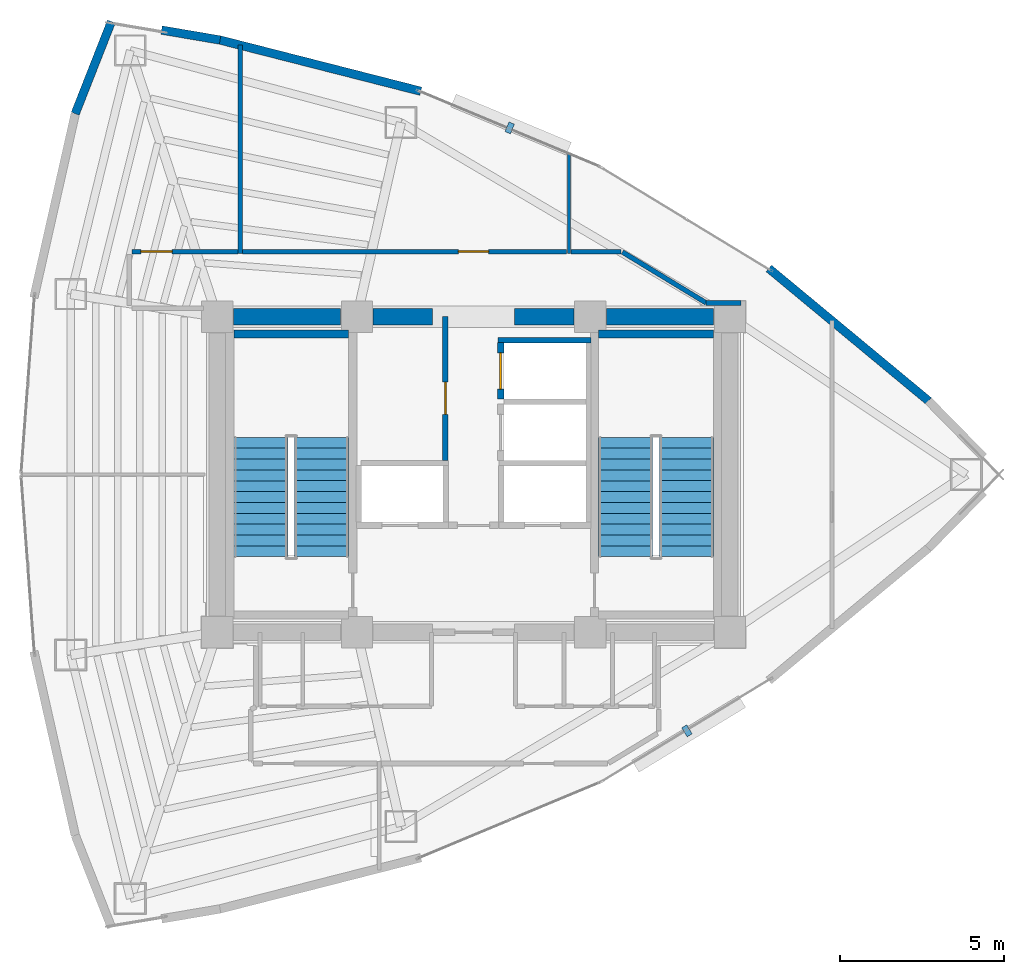
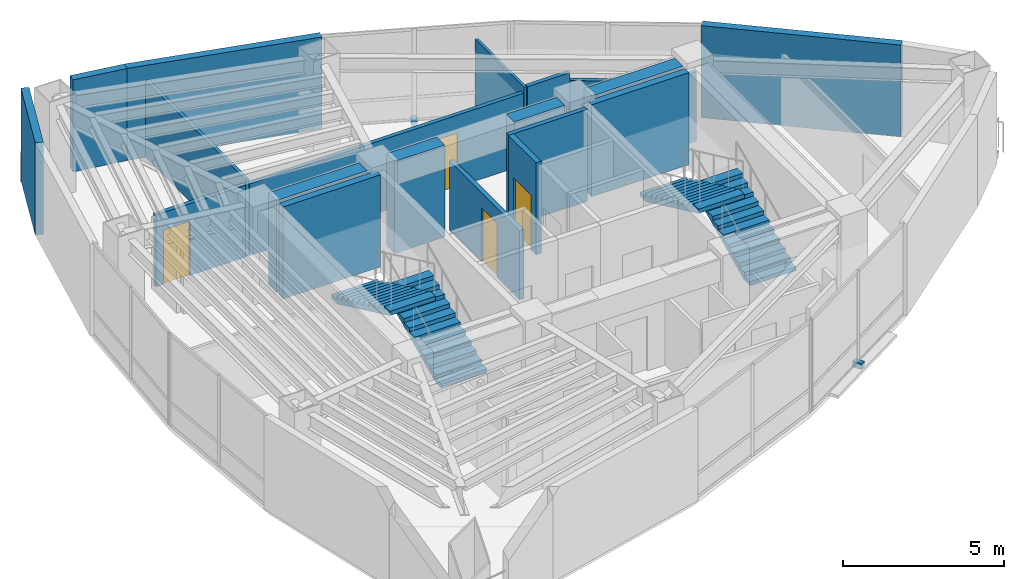
# One storey, part 13 of 15: 20 walls, 4 doors, 4 stair flights, 2 discrete accessories, 4 openings, 2 elements without a shape of their own.
"""IFC4 building model written with IfcOpenShell, lengths in metres."""

from ifc_helpers import new_model, si_unit, direction, frame, frame_2d, origin, origin_2d, place, context, subcontext, project, spatial, polyline, rectangle, outline, extrude, material, layer, layer_set, type_object, element, fill, aggregate, save


model = new_model("IFC4")

# Units and contexts
model_context = context("Model", 3, precision=1e-05, world=origin(), true_north=direction((0.0, 1.0)))
body_context = subcontext(model_context, "Body", "Model", "MODEL_VIEW")
ifc_project = project(units=[si_unit("LENGTHUNIT", "METRE"), si_unit("AREAUNIT", "SQUARE_METRE"), si_unit("VOLUMEUNIT", "CUBIC_METRE"), si_unit("PLANEANGLEUNIT", "RADIAN"), si_unit("MASSUNIT", "GRAM", prefix="KILO")], contexts=[model_context])

# Site, building, storey
site_placement = place(None, origin())
site = spatial("IfcSite", under=ifc_project, at=site_placement, CompositionType="ELEMENT")
building_placement = place(site_placement, origin())
building = spatial("IfcBuilding", under=site, at=building_placement, Name="Menara Vayukalpa", CompositionType="ELEMENT")
storey_placement = place(building_placement, frame((0.0, 0.0, 187.800048828125)))
storey = spatial("IfcBuildingStorey", under=building, at=storey_placement, Name="L47", CompositionType="ELEMENT", Elevation=187.800048828125)

# Walls
ifc_material_1 = material(Name="Concrete C60/75", Category="concrete")
ifc_layer_1 = layer(ifc_material_1, 0.5)
ifc_layer_set_1 = layer_set([ifc_layer_1], Name="Concrete C60/75")
wall_type_1 = type_object("IfcWallType", Name="WAL-CW500", PredefinedType="SHEAR", material=ifc_layer_set_1)
wall_1_placement = place(storey_placement, frame((18.294921875, 26.800048828125, 0.0), z_axis=(0.0, 0.0, 1.0), x_axis=(1.0, 0.0, 0.0)))
element("IfcWall", 1, at=wall_1_placement, inside=storey, type_object=wall_type_1, Name="L47 Buttressed Core Shear Wall CWN1", PredefinedType="SHEAR", context=body_context, shape_type="SweptSolid", body=[
    extrude(rectangle(XDim=3.260009765625, YDim=0.5, at=frame_2d((1.6298828125, 0.0))), origin(), (0.0, 0.0, 1.0), 3.5),
])
wall_2_placement = place(storey_placement, frame((22.544921875, 26.800048828125, 0.0), z_axis=(0.0, 0.0, 1.0), x_axis=(1.0, 0.0, 0.0)))
element("IfcWall", 2, at=wall_2_placement, inside=storey, type_object=wall_type_1, Name="L47 Buttressed Core Shear Wall CWN2", PredefinedType="SHEAR", context=body_context, shape_type="SweptSolid", body=[
    extrude(rectangle(XDim=1.80517578125, YDim=0.5, at=frame_2d((0.902587890625, 0.0))), origin(), (0.0, 0.0, 1.0), 3.5),
])
wall_3_placement = place(storey_placement, frame((26.85009765625, 26.800048828125, 0.0), z_axis=(0.0, 0.0, 1.0), x_axis=(1.0, 0.0, 0.0)))
element("IfcWall", 3, at=wall_3_placement, inside=storey, type_object=wall_type_1, Name="L47 Buttressed Core Shear Wall CWN3", PredefinedType="SHEAR", context=body_context, shape_type="SweptSolid", body=[
    extrude(rectangle(XDim=1.804931640625, YDim=0.5, at=frame_2d((0.90234375, 0.0))), origin(), (0.0, 0.0, 1.0), 3.5),
])
wall_4_placement = place(storey_placement, frame((29.64501953125, 26.800048828125, 0.0), z_axis=(0.0, 0.0, 1.0), x_axis=(1.0, 0.0, 0.0)))
element("IfcWall", 4, at=wall_4_placement, inside=storey, type_object=wall_type_1, Name="L47 Buttressed Core Shear Wall CWN4", PredefinedType="SHEAR", context=body_context, shape_type="SweptSolid", body=[
    extrude(rectangle(XDim=3.260009765625, YDim=0.5, at=frame_2d((1.6298828125, 0.0))), origin(), (0.0, 0.0, 1.0), 3.5),
])
ifc_material_2 = material(Name="Insulated Precast Concrete C40/50", Category="concrete")
ifc_layer_2 = layer(ifc_material_2, 0.260009765625)
ifc_layer_set_2 = layer_set([ifc_layer_2], Name="Insulated Precast Concrete C40/50")
wall_type_2 = type_object("IfcWallType", Name="WAL-EXT260", PredefinedType="PARTITIONING", material=ifc_layer_set_2)
wall_5_placement = place(storey_placement, frame((34.58251953125, 28.26953125, 0.0), z_axis=(0.0, 0.0, 1.0), x_axis=(0.769765373155, -0.638326930571, 0.0)))
element("IfcWall", 5, at=wall_5_placement, inside=storey, type_object=wall_type_2, Name="L47 Perimeter Terracotta Pier Wall 03", PredefinedType="PARTITIONING", context=body_context, shape_type="SweptSolid", body=[
    extrude(rectangle(XDim=6.3154296875, YDim=0.260009765625, at=frame_2d((3.15771484375, 0.0))), origin(), (0.0, 0.0, 1.0), 3.5),
])
wall_6_placement = place(storey_placement, frame((17.8759765625, 35.22216796875, 0.0), z_axis=(0.0, 0.0, 1.0), x_axis=(0.968976240439, -0.247153890246, 0.0)))
element("IfcWall", 6, at=wall_6_placement, inside=storey, type_object=wall_type_2, Name="L47 Perimeter Terracotta Pier Wall 06", PredefinedType="PARTITIONING", context=body_context, shape_type="SweptSolid", body=[
    extrude(rectangle(XDim=6.31494140625, YDim=0.260009765625, at=frame_2d((3.157470703125, 0.0))), origin(), (0.0, 0.0, 1.0), 3.5),
])
wall_7_placement = place(storey_placement, frame((16.10693359375, 35.52197265625, 0.0), z_axis=(0.0, 0.0, 1.0), x_axis=(0.985877723898, -0.167466753484, 0.0)))
element("IfcWall", 7, at=wall_7_placement, inside=storey, type_object=wall_type_2, Name="L47 Perimeter Terracotta Pier Wall 07", PredefinedType="PARTITIONING", context=body_context, shape_type="SweptSolid", body=[
    extrude(rectangle(XDim=1.80615234375, YDim=0.260009765625, at=frame_2d((0.903076171875, 0.0))), origin(), (0.0, 0.0, 1.0), 3.5),
])
wall_8_placement = place(storey_placement, frame((13.47900390625, 32.978515625, 0.0), z_axis=(0.0, 0.0, 1.0), x_axis=(0.365609724313, 0.930768246927, 0.0)))
element("IfcWall", 8, at=wall_8_placement, inside=storey, type_object=wall_type_2, Name="L47 Perimeter Terracotta Pier Wall 08", PredefinedType="PARTITIONING", context=body_context, shape_type="SweptSolid", body=[
    extrude(rectangle(XDim=3.010986328125, YDim=0.260009765625, at=frame_2d((1.50537109375, 0.0))), origin(), (0.0, 0.0, 1.0), 3.5),
])
ifc_material_3 = material(Name="Lightweight Concrete Blockwork C16/20", Category="masonry")
ifc_layer_3 = layer(ifc_material_3, 0.159912109375)
ifc_layer_set_3 = layer_set([ifc_layer_3], Name="Lightweight Concrete Blockwork C16/20")
wall_type_3 = type_object("IfcWallType", Name="WAL-FR150", PredefinedType="PARTITIONING", material=ifc_layer_set_3)
wall_9_placement = place(storey_placement, frame((26.340087890625, 26.0849609375, 0.0), z_axis=(0.0, 0.0, 1.0), x_axis=(1.0, 0.0, 0.0)))
element("IfcWall", 9, at=wall_9_placement, inside=storey, type_object=wall_type_3, Name="L47 Interior Partition IW-L47-SHM-E2N", PredefinedType="PARTITIONING", context=body_context, shape_type="SweptSolid", body=[
    extrude(rectangle(XDim=2.829833984375, YDim=0.159912109375, at=frame_2d((1.4150390625, 0.0))), origin(), (0.0, 0.0, 1.0), 3.5),
])

# Wall, opening, door
wall_10_placement = place(storey_placement, frame((24.739990234375, 22.429931640625, 0.0), z_axis=(0.0, 0.0, 1.0), x_axis=(0.0, 1.0, 0.0)))
wall_10 = element("IfcWall", 10, at=wall_10_placement, inside=storey, type_object=wall_type_3, Name="L47 Interior Partition IW-L47-LV7W", PredefinedType="PARTITIONING", context=body_context, shape_type="SweptSolid", body=[
    extrude(rectangle(XDim=4.3701171875, YDim=0.159912109375, at=frame_2d((2.18505859375, 0.0))), origin(), (0.0, 0.0, 1.0), 2.6298828125),
])
opening_1_placement = place(wall_10_placement, frame((1.39990234375, 0.0, 0.0)))
opening_1 = element("IfcOpeningElement", 11, at=opening_1_placement, cuts=wall_10, Name="Opening ID3", PredefinedType="OPENING", context=body_context, shape_type="SweptSolid", body=[
    extrude(rectangle(XDim=0.97998046875, YDim=2.06005859375, at=frame_2d((0.489990234375, 1.030029296875))), frame((0.0, 0.08984375, 0.0), z_axis=(0.0, -1.0, 0.0), x_axis=(1.0, 0.0, 0.0)), (0.0, 0.0, 1.0), 0.179931640625),
])
ifc_material_4 = material(Name="Fire-Rated Powder-Coated Steel Door", Category="steel")
door_type_1 = type_object("IfcDoorType", Name="DR-FD60", OperationType="NOTDEFINED", PredefinedType="DOOR", material=ifc_material_4)
door_1_placement = place(opening_1_placement, origin())
door_1 = element("IfcDoor", 12, at=door_1_placement, inside=storey, type_object=door_type_1, Name="L47 Interior Door DR-L47-LV7W", OperationType="SINGLE_SWING_LEFT", OverallHeight=2.06005859375, OverallWidth=0.97998046875, PredefinedType="DOOR", context=body_context, shape_type="SweptSolid", body=[
    extrude(rectangle(XDim=0.97998046875, YDim=2.06005859375, at=frame_2d((0.489990234375, 1.030029296875))), frame((0.0, 0.02490234375, 0.0), z_axis=(0.0, -1.0, 0.0), x_axis=(1.0, 0.0, 0.0)), (0.0, 0.0, 1.0), 0.050048828125),
])
fill(opening_1, door_1)

ifc_material_5 = material(Name="Lightweight Concrete Blockwork C16/20", Category="masonry")
ifc_layer_4 = layer(ifc_material_5, 0.199951171875)
ifc_layer_set_4 = layer_set([ifc_layer_4], Name="Lightweight Concrete Blockwork C16/20")
wall_type_4 = type_object("IfcWallType", Name="WAL-FR200", PredefinedType="PARTITIONING", material=ifc_layer_set_4)
wall_11_placement = place(storey_placement, frame((26.419921875, 24.2900390625, 0.0), z_axis=(0.0, 0.0, 1.0), x_axis=(0.0, 1.0, 0.0)))
wall_11 = element("IfcWall", 13, at=wall_11_placement, inside=storey, type_object=wall_type_4, Name="L47 Interior Partition IW-L47-SH-E2", PredefinedType="PARTITIONING", context=body_context, shape_type="SweptSolid", body=[
    extrude(rectangle(XDim=1.719970703125, YDim=0.199951171875, at=frame_2d((0.85986328125, 0.0))), origin(), (0.0, 0.0, 1.0), 3.5),
])
opening_2_placement = place(wall_11_placement, frame((0.31005859375, 0.0, 0.0)))
opening_2 = element("IfcOpeningElement", 14, at=opening_2_placement, cuts=wall_11, Name="Opening LD1", PredefinedType="OPENING", context=body_context, shape_type="SweptSolid", body=[
    extrude(rectangle(XDim=1.10009765625, YDim=2.080078125, at=frame_2d((0.550048828125, 1.0400390625))), frame((0.0, 0.10986328125, 0.0), z_axis=(0.0, -1.0, 0.0), x_axis=(1.0, 0.0, 0.0)), (0.0, 0.0, 1.0), 0.219970703125),
])
ifc_material_6 = material(Name="Brushed Stainless Steel 316 Lift Door", Category="steel")
door_type_2 = type_object("IfcDoorType", Name="DR-LD110", OperationType="NOTDEFINED", PredefinedType="DOOR", material=ifc_material_6)
door_2_placement = place(opening_2_placement, origin())
door_2 = element("IfcDoor", 15, at=door_2_placement, inside=storey, type_object=door_type_2, Name="L47 Interior Door DR-L47-LD-E2", OperationType="DOUBLE_DOOR_SLIDING", OverallHeight=2.080078125, OverallWidth=1.10009765625, PredefinedType="DOOR", context=body_context, shape_type="SweptSolid", body=[
    extrude(rectangle(XDim=1.10009765625, YDim=2.080078125, at=frame_2d((0.550048828125, 1.0400390625))), frame((0.0, 0.02490234375, 0.0), z_axis=(0.0, -1.0, 0.0), x_axis=(1.0, 0.0, 0.0)), (0.0, 0.0, 1.0), 0.050048828125),
])
fill(opening_2, door_2)

# Walls
ifc_material_7 = material(Name="Glazed Demountable Office Partition", Category="glass")
ifc_layer_5 = layer(ifc_material_7, 0.094970703125)
ifc_layer_set_5 = layer_set([ifc_layer_5], Name="Glazed Demountable Office Partition")
wall_type_5 = type_object("IfcWallType", Name="WAL-PT100", PredefinedType="PARTITIONING", material=ifc_layer_set_5)
wall_12_placement = place(storey_placement, frame((28.5, 28.72998046875, 0.0), z_axis=(0.0, 0.0, 1.0), x_axis=(0.0, 1.0, 0.0)))
element("IfcWall", 16, at=wall_12_placement, inside=storey, type_object=wall_type_5, Name="L47 Interior Partition IW-L47-RDIV02", PredefinedType="PARTITIONING", context=body_context, shape_type="SweptSolid", body=[
    extrude(rectangle(XDim=3.04052734375, YDim=0.094970703125, at=frame_2d((1.520263671875, 0.0))), origin(), (0.0, 0.0, 1.0), 2.929931640625),
])
ifc_material_8 = material(Name="Gypsum Drywall Steel Stud Assembly", Category="steel")
ifc_layer_6 = layer(ifc_material_8, 0.125)
ifc_layer_set_6 = layer_set([ifc_layer_6], Name="Gypsum Drywall Steel Stud Assembly")
wall_type_6 = type_object("IfcWallType", Name="WAL-PT125", PredefinedType="PARTITIONING", material=ifc_layer_set_6)
wall_13_placement = place(storey_placement, frame((18.5, 28.72998046875, 0.0), z_axis=(0.0, 0.0, 1.0), x_axis=(0.0, 1.0, 0.0)))
element("IfcWall", 17, at=wall_13_placement, inside=storey, type_object=wall_type_6, Name="L47 Interior Partition IW-L47-RDIV01", PredefinedType="PARTITIONING", context=body_context, shape_type="SweptSolid", body=[
    extrude(rectangle(XDim=6.34326171875, YDim=0.125, at=frame_2d((3.171630859375, 0.0))), origin(), (0.0, 0.0, 1.0), 2.929931640625),
])
ifc_material_9 = material(Name="Gypsum Drywall Acoustic Stud Assembly", Category="masonry")
ifc_layer_7 = layer(ifc_material_9, 0.14501953125)
ifc_layer_set_7 = layer_set([ifc_layer_7], Name="Gypsum Drywall Acoustic Stud Assembly")
wall_type_7 = type_object("IfcWallType", Name="WAL-PT150", PredefinedType="PARTITIONING", material=ifc_layer_set_7)
wall_14_placement = place(storey_placement, frame((33.739990234375, 27.219970703125, 0.0), z_axis=(0.0, 0.0, 1.0), x_axis=(-1.0, 0.0, 0.0)))
element("IfcWall", 18, at=wall_14_placement, inside=storey, type_object=wall_type_7, Name="L47 Interior Partition IW-L47-CRM02-5", PredefinedType="PARTITIONING", context=body_context, shape_type="SweptSolid", body=[
    extrude(rectangle(XDim=1.0625, YDim=0.14501953125, at=frame_2d((0.53125, 0.0))), origin(), (0.0, 0.0, 1.0), 2.6298828125),
])
wall_15_placement = place(storey_placement, frame((32.677490234375, 27.219970703125, 0.0), z_axis=(0.0, 0.0, 1.0), x_axis=(-0.854662977584, 0.519183199601, 0.0)))
element("IfcWall", 19, at=wall_15_placement, inside=storey, type_object=wall_type_7, Name="L47 Interior Partition IW-L47-CRM02-6", PredefinedType="PARTITIONING", context=body_context, shape_type="SweptSolid", body=[
    extrude(rectangle(XDim=2.982177734375, YDim=0.14501953125, at=frame_2d((1.4912109375, 0.0))), origin(), (0.0, 0.0, 1.0), 2.6298828125),
])
wall_16_placement = place(storey_placement, frame((30.087158203125, 28.780029296875, 0.0), z_axis=(0.0, 0.0, 1.0), x_axis=(-1.0, 0.0, 0.0)))
element("IfcWall", 20, at=wall_16_placement, inside=storey, type_object=wall_type_7, Name="L47 Interior Partition IW-L47-CRM02-7", PredefinedType="PARTITIONING", context=body_context, shape_type="SweptSolid", body=[
    extrude(rectangle(XDim=1.51708984375, YDim=0.14501953125, at=frame_2d((0.758544921875, 0.0))), origin(), (0.0, 0.0, 1.0), 2.929931640625),
])

# Wall, opening, door
wall_17_placement = place(storey_placement, frame((28.429931640625, 28.780029296875, 0.0), z_axis=(0.0, 0.0, 1.0), x_axis=(-1.0, 0.0, 0.0)))
wall_17 = element("IfcWall", 21, at=wall_17_placement, inside=storey, type_object=wall_type_7, Name="L47 Interior Partition IW-L47-CRM04-1", PredefinedType="PARTITIONING", context=body_context, shape_type="SweptSolid", body=[
    extrude(rectangle(XDim=9.85986328125, YDim=0.14501953125, at=frame_2d((4.929931640625, 0.0))), origin(), (0.0, 0.0, 1.0), 2.72998046875),
])
opening_3_placement = place(wall_17_placement, frame((2.375, 0.0, 0.0)))
opening_3 = element("IfcOpeningElement", 22, at=opening_3_placement, cuts=wall_17, Name="Opening ID6", PredefinedType="OPENING", context=body_context, shape_type="SweptSolid", body=[
    extrude(rectangle(XDim=0.919921875, YDim=2.050048828125, at=frame_2d((0.4599609375, 1.02490234375))), frame((0.0, 0.08251953125, 0.0), z_axis=(0.0, -1.0, 0.0), x_axis=(1.0, 0.0, 0.0)), (0.0, 0.0, 1.0), 0.1650390625),
])
ifc_material_10 = material(Name="Acoustic Hardwood Veneer Timber Door", Category="wood")
door_type_3 = type_object("IfcDoorType", Name="DR-INT92", OperationType="NOTDEFINED", PredefinedType="DOOR", material=ifc_material_10)
door_3_placement = place(opening_3_placement, origin())
door_3 = element("IfcDoor", 23, at=door_3_placement, inside=storey, type_object=door_type_3, Name="L47 Interior Door DR-L47-RM04", OperationType="SINGLE_SWING_LEFT", OverallHeight=2.050048828125, OverallWidth=0.919921875, PredefinedType="DOOR", context=body_context, shape_type="SweptSolid", body=[
    extrude(rectangle(XDim=0.919921875, YDim=2.050048828125, at=frame_2d((0.4599609375, 1.02490234375))), frame((0.0, 0.02490234375, 0.0), z_axis=(0.0, -1.0, 0.0), x_axis=(1.0, 0.0, 0.0)), (0.0, 0.0, 1.0), 0.050048828125),
])
fill(opening_3, door_3)

wall_18_placement = place(storey_placement, frame((18.429931640625, 28.780029296875, 0.0), z_axis=(0.0, 0.0, 1.0), x_axis=(-1.0, 0.0, 0.0)))
wall_18 = element("IfcWall", 24, at=wall_18_placement, inside=storey, type_object=wall_type_7, Name="L47 Interior Partition IW-L47-CRM05-1", PredefinedType="PARTITIONING", context=body_context, shape_type="SweptSolid", body=[
    extrude(rectangle(XDim=3.22998046875, YDim=0.14501953125, at=frame_2d((1.614990234375, 0.0))), origin(), (0.0, 0.0, 1.0), 2.72998046875),
])
opening_4_placement = place(wall_18_placement, frame((2.0, 0.0, 0.0)))
opening_4 = element("IfcOpeningElement", 25, at=opening_4_placement, cuts=wall_18, Name="Opening ID5", PredefinedType="OPENING", context=body_context, shape_type="SweptSolid", body=[
    extrude(rectangle(XDim=0.949951171875, YDim=2.06005859375, at=frame_2d((0.47509765625, 1.030029296875))), frame((0.0, 0.08251953125, 0.0), z_axis=(0.0, -1.0, 0.0), x_axis=(1.0, 0.0, 0.0)), (0.0, 0.0, 1.0), 0.1650390625),
])
ifc_material_11 = material(Name="Acoustic Hardwood Veneer Timber Door", Category="wood")
door_type_4 = type_object("IfcDoorType", Name="DR-INT95", OperationType="NOTDEFINED", PredefinedType="DOOR", material=ifc_material_11)
door_4_placement = place(opening_4_placement, origin())
door_4 = element("IfcDoor", 26, at=door_4_placement, inside=storey, type_object=door_type_4, Name="L47 Interior Door DR-L47-RM05", OperationType="SINGLE_SWING_RIGHT", OverallHeight=2.06005859375, OverallWidth=0.949951171875, PredefinedType="DOOR", context=body_context, shape_type="SweptSolid", body=[
    extrude(rectangle(XDim=0.949951171875, YDim=2.06005859375, at=frame_2d((0.47509765625, 1.030029296875))), frame((0.0, 0.02490234375, 0.0), z_axis=(0.0, -1.0, 0.0), x_axis=(1.0, 0.0, 0.0)), (0.0, 0.0, 1.0), 0.050048828125),
])
fill(opening_4, door_4)

# Walls
ifc_material_12 = material(Name="Concrete C50/60", Category="concrete")
ifc_layer_8 = layer(ifc_material_12, 0.25)
ifc_layer_set_8 = layer_set([ifc_layer_8], Name="Concrete C50/60")
wall_type_8 = type_object("IfcWallType", Name="WAL-SW250", PredefinedType="SHEAR", material=ifc_layer_set_8)
for number, where, z_axis, x_axis, name in (
    (27, (18.303955078125, 26.27490234375, 0.0), (0.0, 0.0, 1.0), (1.0, 0.0, 0.0), "L47 ST1 Structural Stair Shaft Wall N"),
    (28, (29.39990234375, 26.27490234375, 0.0), (0.0, 0.0, 1.0), (1.0, 0.0, 0.0), "L47 ST2 Structural Stair Shaft Wall N"),
):
    element("IfcWall", number, at=place(storey_placement, frame(where, z_axis=z_axis, x_axis=x_axis)), inside=storey, type_object=wall_type_8, Name=name, PredefinedType="SHEAR", context=body_context, shape_type="SweptSolid", body=[
        extrude(rectangle(XDim=3.49609375, YDim=0.25, at=frame_2d((1.748046875, 0.0))), origin(), (0.0, 0.0, 1.0), 3.5),
    ])

# Stair, stair flights
ifc_material_13 = material(Name="Precast Concrete C40/50", Category="concrete")
stair_type = type_object("IfcStairType", Name="STR-T04", PredefinedType="DOUBLE_RETURN_STAIR", material=ifc_material_13)
stair_1_placement = place(storey_placement, origin())
stair_1 = element("IfcStair", 29, at=stair_1_placement, inside=storey, type_object=stair_type, Name="L47 Core Exit Stair ST-1", PredefinedType="DOUBLE_RETURN_STAIR")
ifc_material_14 = material(Name="Precast Concrete C40/50", Category="concrete")
stair_flight_type = type_object("IfcStairFlightType", Name="STF-T04", PredefinedType="STRAIGHT", material=ifc_material_14)
stair_flight_1_placement = place(storey_placement, frame((20.97509765625, 19.5, 0.0), z_axis=(0.0, 0.0, 1.0), x_axis=(0.0, 1.0, 0.0)))
stair_flight_1 = element("IfcStairFlight", 30, at=stair_flight_1_placement, type_object=stair_flight_type, Name="ST-1 flight 1", NumberOfRisers=12, NumberOfTreads=11, PredefinedType="STRAIGHT", RiserHeight=0.155, TreadLength=0.33, context=body_context, shape_type="SweptSolid", body=[
    extrude(outline(polyline([(0.0, 0.0), (0.0, 0.155029296875), (0.330078125, 0.155029296875), (0.330078125, 0.31005859375), (0.659912109375, 0.31005859375), (0.659912109375, 0.465087890625), (0.989990234375, 0.465087890625), (0.989990234375, 0.6201171875), (1.320068359375, 0.6201171875), (1.320068359375, 0.77490234375), (1.64990234375, 0.77490234375), (1.64990234375, 0.929931640625), (1.97998046875, 0.929931640625), (1.97998046875, 1.0849609375), (2.31005859375, 1.0849609375), (2.31005859375, 1.239990234375), (2.639892578125, 1.239990234375), (2.639892578125, 1.39501953125), (2.969970703125, 1.39501953125), (2.969970703125, 1.550048828125), (3.300048828125, 1.550048828125), (3.300048828125, 1.705078125), (3.6298828125, 1.705078125), (3.6298828125, 1.860107421875), (3.6298828125, 1.539306640625), (0.3525390625, 0.0), (0.0, 0.0)])), frame((0.0, 0.824951171875, 0.0), z_axis=(0.0, -1.0, 0.0), x_axis=(1.0, 0.0, 0.0)), (0.0, 0.0, 1.0), 1.64990234375),
])
stair_flight_2_placement = place(storey_placement, frame((19.125, 23.1298828125, 1.85986328125), z_axis=(0.0, 0.0, 1.0), x_axis=(0.0, -1.0, 0.0)))
stair_flight_2 = element("IfcStairFlight", 31, at=stair_flight_2_placement, type_object=stair_flight_type, Name="ST-1 flight 2", NumberOfRisers=12, NumberOfTreads=11, PredefinedType="STRAIGHT", RiserHeight=0.155, TreadLength=0.33, context=body_context, shape_type="SweptSolid", body=[
    extrude(outline(polyline([(0.0, 0.0), (0.0, 0.155029296875), (0.330078125, 0.155029296875), (0.330078125, 0.31005859375), (0.659912109375, 0.31005859375), (0.659912109375, 0.465087890625), (0.989990234375, 0.465087890625), (0.989990234375, 0.6201171875), (1.320068359375, 0.6201171875), (1.320068359375, 0.77490234375), (1.64990234375, 0.77490234375), (1.64990234375, 0.929931640625), (1.97998046875, 0.929931640625), (1.97998046875, 1.0849609375), (2.31005859375, 1.0849609375), (2.31005859375, 1.239990234375), (2.639892578125, 1.239990234375), (2.639892578125, 1.39501953125), (2.969970703125, 1.39501953125), (2.969970703125, 1.550048828125), (3.300048828125, 1.550048828125), (3.300048828125, 1.705078125), (3.6298828125, 1.705078125), (3.6298828125, 1.860107421875), (3.6298828125, 1.539306640625), (0.3525390625, 0.0), (0.0, 0.0)])), frame((0.0, 0.824951171875, 0.0), z_axis=(0.0, -1.0, 0.0), x_axis=(1.0, 0.0, 0.0)), (0.0, 0.0, 1.0), 1.64990234375),
])
aggregate(stair_1, [stair_flight_1, stair_flight_2])

stair_2_placement = place(storey_placement, origin())
stair_2 = element("IfcStair", 32, at=stair_2_placement, inside=storey, type_object=stair_type, Name="L47 Core Exit Stair ST-2", PredefinedType="DOUBLE_RETURN_STAIR")
stair_flight_3_placement = place(storey_placement, frame((32.074951171875, 19.5, 0.0), z_axis=(0.0, 0.0, 1.0), x_axis=(0.0, 1.0, 0.0)))
stair_flight_3 = element("IfcStairFlight", 33, at=stair_flight_3_placement, type_object=stair_flight_type, Name="ST-2 flight 1", NumberOfRisers=12, NumberOfTreads=11, PredefinedType="STRAIGHT", RiserHeight=0.155, TreadLength=0.33, context=body_context, shape_type="SweptSolid", body=[
    extrude(outline(polyline([(0.0, 0.0), (0.0, 0.155029296875), (0.330078125, 0.155029296875), (0.330078125, 0.31005859375), (0.659912109375, 0.31005859375), (0.659912109375, 0.465087890625), (0.989990234375, 0.465087890625), (0.989990234375, 0.6201171875), (1.320068359375, 0.6201171875), (1.320068359375, 0.77490234375), (1.64990234375, 0.77490234375), (1.64990234375, 0.929931640625), (1.97998046875, 0.929931640625), (1.97998046875, 1.0849609375), (2.31005859375, 1.0849609375), (2.31005859375, 1.239990234375), (2.639892578125, 1.239990234375), (2.639892578125, 1.39501953125), (2.969970703125, 1.39501953125), (2.969970703125, 1.550048828125), (3.300048828125, 1.550048828125), (3.300048828125, 1.705078125), (3.6298828125, 1.705078125), (3.6298828125, 1.860107421875), (3.6298828125, 1.539306640625), (0.3525390625, 0.0), (0.0, 0.0)])), frame((0.0, 0.824951171875, 0.0), z_axis=(0.0, -1.0, 0.0), x_axis=(1.0, 0.0, 0.0)), (0.0, 0.0, 1.0), 1.64990234375),
])
stair_flight_4_placement = place(storey_placement, frame((30.22509765625, 23.1298828125, 1.85986328125), z_axis=(0.0, 0.0, 1.0), x_axis=(0.0, -1.0, 0.0)))
stair_flight_4 = element("IfcStairFlight", 34, at=stair_flight_4_placement, type_object=stair_flight_type, Name="ST-2 flight 2", NumberOfRisers=12, NumberOfTreads=11, PredefinedType="STRAIGHT", RiserHeight=0.155, TreadLength=0.33, context=body_context, shape_type="SweptSolid", body=[
    extrude(outline(polyline([(0.0, 0.0), (0.0, 0.155029296875), (0.330078125, 0.155029296875), (0.330078125, 0.31005859375), (0.659912109375, 0.31005859375), (0.659912109375, 0.465087890625), (0.989990234375, 0.465087890625), (0.989990234375, 0.6201171875), (1.320068359375, 0.6201171875), (1.320068359375, 0.77490234375), (1.64990234375, 0.77490234375), (1.64990234375, 0.929931640625), (1.97998046875, 0.929931640625), (1.97998046875, 1.0849609375), (2.31005859375, 1.0849609375), (2.31005859375, 1.239990234375), (2.639892578125, 1.239990234375), (2.639892578125, 1.39501953125), (2.969970703125, 1.39501953125), (2.969970703125, 1.550048828125), (3.300048828125, 1.550048828125), (3.300048828125, 1.705078125), (3.6298828125, 1.705078125), (3.6298828125, 1.860107421875), (3.6298828125, 1.539306640625), (0.3525390625, 0.0), (0.0, 0.0)])), frame((0.0, 0.824951171875, 0.0), z_axis=(0.0, -1.0, 0.0), x_axis=(1.0, 0.0, 0.0)), (0.0, 0.0, 1.0), 1.64990234375),
])
aggregate(stair_2, [stair_flight_3, stair_flight_4])

# Discrete accessories
ifc_material_15 = material(Name="Stainless Steel 316 Sunshade Bracket", Category="steel")
discrete_accessory_type = type_object("IfcDiscreteAccessoryType", Name="ACC-BRK1", PredefinedType="BRACKET", material=ifc_material_15)
for number, where, z_axis, x_axis, name in (
    (35, (26.69775390625, 32.5458984375, -0.16015625), (0.0, 0.0, 1.0), (-0.922538089456, 0.385906042324, 0.0), "L47 Terracotta Sunshade Bracket 05"),
    (36, (32.091064453125, 14.20068359375, -0.16015625), (0.0, 0.0, 1.0), (0.85466730962, 0.519176068272, 0.0), "L47 Terracotta Sunshade Bracket 17"),
):
    element("IfcDiscreteAccessory", number, at=place(storey_placement, frame(where, z_axis=z_axis, x_axis=x_axis)), inside=storey, type_object=discrete_accessory_type, Name=name, PredefinedType="BRACKET", context=body_context, shape_type="SweptSolid", body=[
        extrude(rectangle(XDim=0.179931640625, YDim=0.320068359375, at=origin_2d()), origin(), (0.0, 0.0, 1.0), 0.219970703125),
    ])

save(model, "model.ifc")
